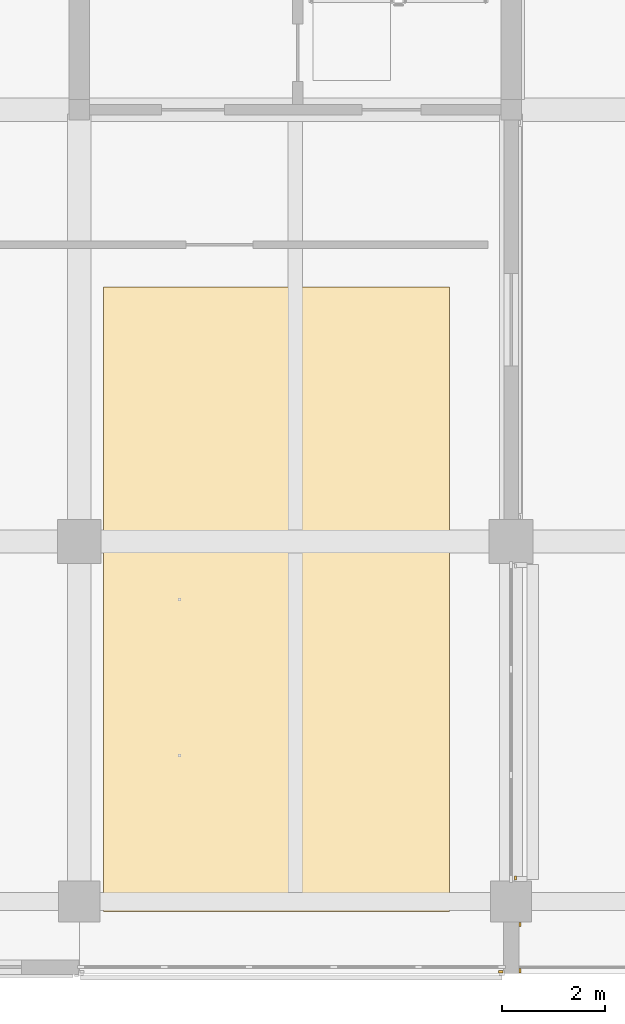
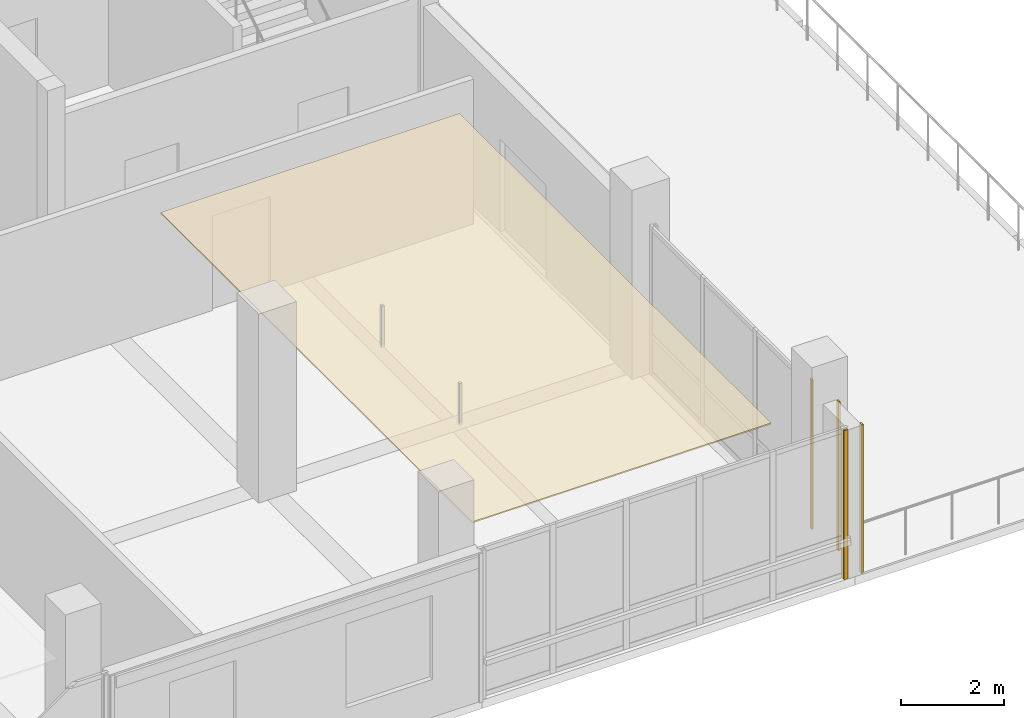
# One storey, part 29 of 36: 5 coverings.
"""IFC4 building model written with IfcOpenShell, lengths in metres."""

from ifc_helpers import new_model, si_unit, direction, frame, origin, origin_2d, place, context, subcontext, project, spatial, polyline, rectangle, outline, extrude, material, layer, layer_set, type_object, element, save


model = new_model("IFC4")

# Units and contexts
model_context = context("Model", 3, precision=1e-05, world=origin(), true_north=direction((0.0, 1.0)))
body_context = subcontext(model_context, "Body", "Model", "MODEL_VIEW")
ifc_project = project(units=[si_unit("LENGTHUNIT", "METRE"), si_unit("AREAUNIT", "SQUARE_METRE"), si_unit("VOLUMEUNIT", "CUBIC_METRE"), si_unit("PLANEANGLEUNIT", "RADIAN"), si_unit("MASSUNIT", "GRAM", prefix="KILO")], contexts=[model_context])

# Site, building, storey
site_placement = place(None, origin())
site = spatial("IfcSite", under=ifc_project, at=site_placement, CompositionType="ELEMENT")
building_placement = place(site_placement, origin())
building = spatial("IfcBuilding", under=site, at=building_placement, Name="Telukmera Botanical Conservatory", CompositionType="ELEMENT")
storey_placement = place(building_placement, frame((0.0, 0.0, 33.0)))
storey = spatial("IfcBuildingStorey", under=building, at=storey_placement, Name="L07", CompositionType="ELEMENT", Elevation=33.0)

# Coverings
ifc_material_1 = material(Name="Mineral fibre acoustic ceiling")
ifc_layer_1 = layer(ifc_material_1, 0.030029296875)
ifc_layer_set_1 = layer_set([ifc_layer_1], Name="Mineral fibre acoustic ceiling")
covering_type_1 = type_object("IfcCoveringType", Name="COV-CEIL-30", PredefinedType="CEILING", material=ifc_layer_set_1)
covering_placement = place(storey_placement, frame((0.0, 0.0, 3.320068359375)))
element("IfcCovering", 1, at=covering_placement, inside=storey, type_object=covering_type_1, Name="L07 Symposium Seminar Room Suspended Acoustic Ceiling", PredefinedType="CEILING", context=body_context, shape_type="SweptSolid", body=[
    extrude(outline(polyline([(92.8701171875, 10.39990234375), (99.60009765625, 10.39990234375), (99.60009765625, 22.550048828125), (92.8701171875, 22.550048828125), (92.8701171875, 10.39990234375)])), origin(), (0.0, 0.0, 1.0), 0.030029296875),
])
ifc_material_2 = material(Name="Granite-faced precast concrete C40/50", Category="masonry")
ifc_layer_2 = layer(ifc_material_2, 0.0400390625)
ifc_layer_set_2 = layer_set([ifc_layer_2], Name="Granite-faced precast concrete C40/50")
covering_type_2 = type_object("IfcCoveringType", Name="Granite Precast Column Pier Reveal Casing", PredefinedType="CLADDING", material=ifc_layer_set_2)
for number, where, z_axis, x_axis, name in (
    (2, (100.969970703125, 9.25, 0.0), (0.0, 0.0, 1.0), (0.0, 1.0, 0.0), "Granite Pier Reveal V4:L07:SEC L"),
    (3, (100.969970703125, 10.14794921875, 0.0), (0.0, 0.0, 1.0), (0.0, 1.0, 0.0), "Granite Pier Reveal V4:L07:SEC R"),
    (4, (100.597900390625, 9.22998046875, 0.0), (0.0, 0.0, 1.0), (1.0, 0.0, 0.0), "Granite Pier Reveal V4:L07:S6 R"),
    (5, (100.889892578125, 11.052001953125, 0.0), (0.0, 0.0, 1.0), (0.0, 1.0, 0.0), "Granite Pier Reveal V4:L07:E1 L"),
):
    element("IfcCovering", number, at=place(storey_placement, frame(where, z_axis=z_axis, x_axis=x_axis)), inside=storey, type_object=covering_type_2, Name=name, PredefinedType="CLADDING", context=body_context, shape_type="SweptSolid", body=[
        extrude(rectangle(XDim=0.080078125, YDim=0.0400390625, at=origin_2d()), origin(), (0.0, 0.0, 1.0), 3.550048828125),
    ])

save(model, "model.ifc")
